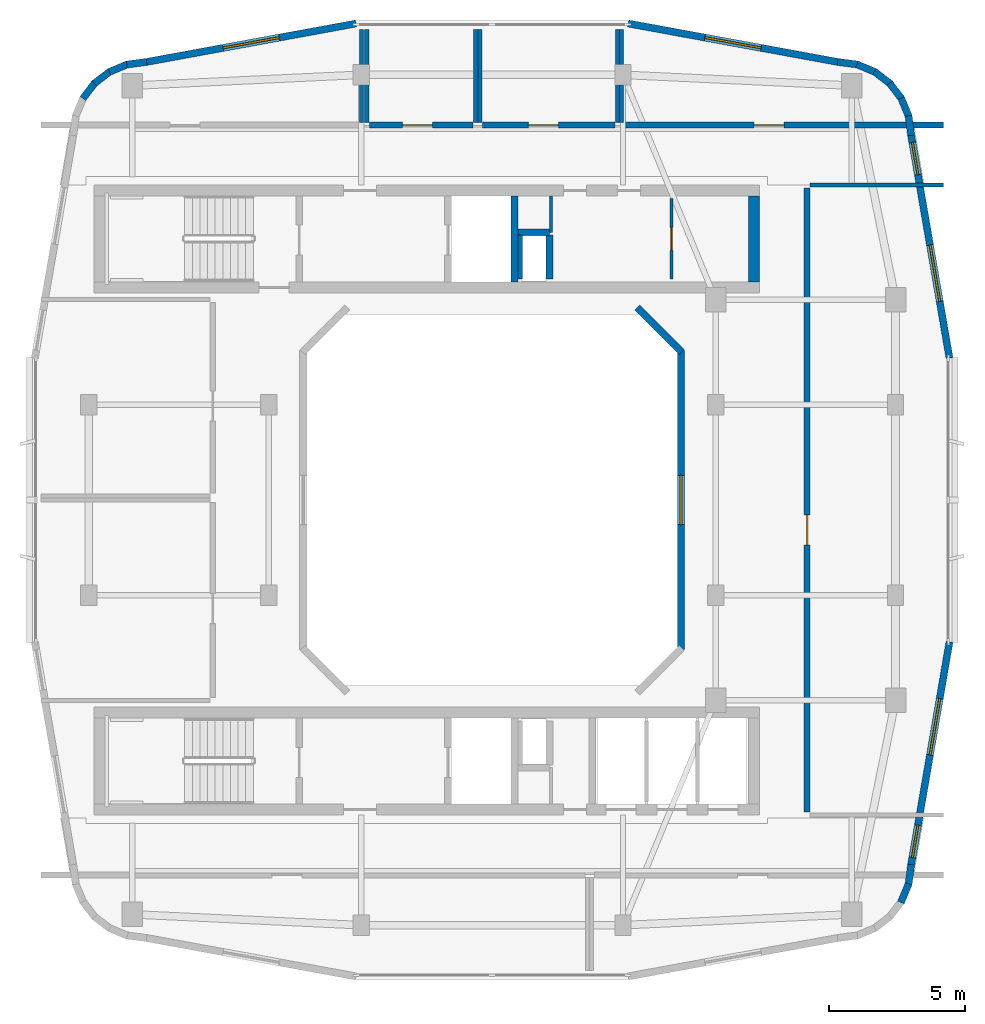
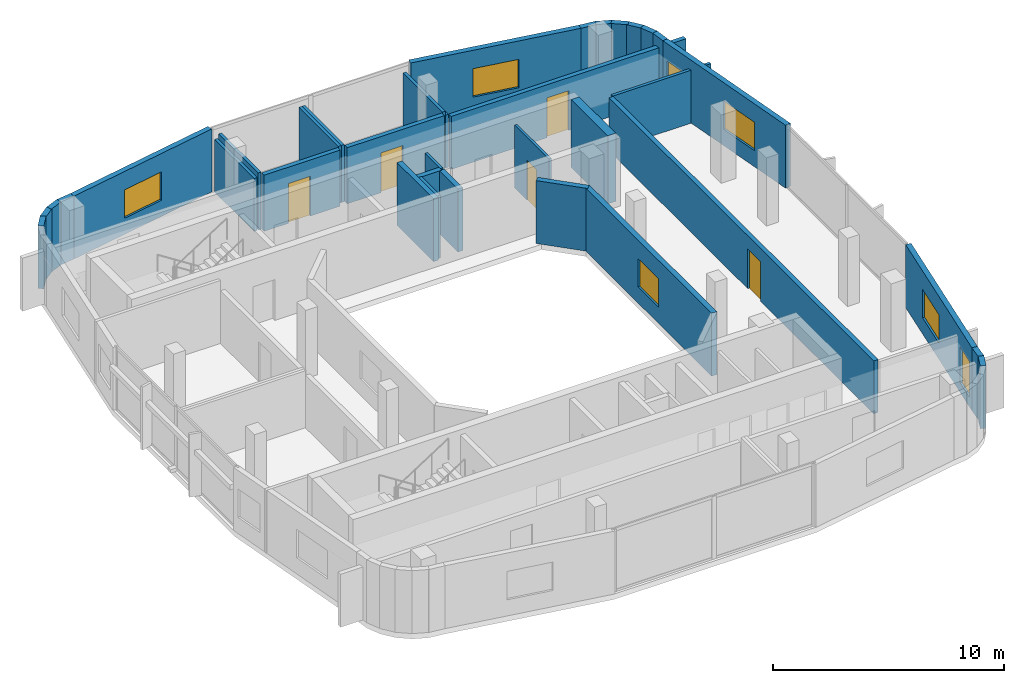
# One storey, part 5 of 10: 36 walls, 7 windows, 5 doors, 12 openings.
"""IFC4 building model written with IfcOpenShell, lengths in metres."""

from ifc_helpers import new_model, si_unit, derived_unit, direction, frame, frame_2d, origin, place, context, subcontext, project, spatial, rectangle, extrude, material, layer, layer_set, type_object, element, fill, save


model = new_model("IFC4")

# Units and contexts
model_context = context("Model", 3, precision=1e-05, world=origin(), true_north=direction((0.0, 1.0)))
body_context = subcontext(model_context, "Body", "Model", "MODEL_VIEW")
ifc_project = project(units=[si_unit("LENGTHUNIT", "METRE"), si_unit("AREAUNIT", "SQUARE_METRE"), si_unit("VOLUMEUNIT", "CUBIC_METRE"), si_unit("PLANEANGLEUNIT", "RADIAN"), si_unit("MASSUNIT", "GRAM", prefix="KILO"), derived_unit("THERMALTRANSMITTANCEUNIT", [(si_unit("POWERUNIT", "WATT"), 1), (si_unit("LENGTHUNIT", "METRE"), -2), (si_unit("THERMODYNAMICTEMPERATUREUNIT", "KELVIN"), -1)])], contexts=[model_context])

# Site, building, storey
site_placement = place(None, origin())
site = spatial("IfcSite", under=ifc_project, at=site_placement, CompositionType="ELEMENT")
building_placement = place(site_placement, origin())
building = spatial("IfcBuilding", under=site, at=building_placement, Name="Kivonza Crest Hotel", CompositionType="ELEMENT")
storey_placement = place(building_placement, frame((0.0, 0.0, 264.800048828125)))
storey = spatial("IfcBuildingStorey", under=building, at=storey_placement, Name="L72", CompositionType="ELEMENT", Elevation=264.800048828125)

# Wall, opening, door
ifc_material_1 = material(Name="Autoclaved aerated concrete blockwork", Category="masonry")
ifc_layer_1 = layer(ifc_material_1, 0.219970703125)
ifc_layer_set_1 = layer_set([ifc_layer_1], Name="Autoclaved aerated concrete blockwork")
wall_type_1 = type_object("IfcWallType", Name="WL-ACOU-220", PredefinedType="SOLIDWALL", material=ifc_layer_set_1)
wall_1_placement = place(storey_placement, frame((32.56005859375, 13.550048828125, 0.0), z_axis=(0.0, 0.0, 1.0), x_axis=(0.0, 1.0, 0.0)))
wall_1 = element("IfcWall", 1, at=wall_1_placement, inside=storey, type_object=wall_type_1, Name="L72 interior partition WA-L72-SKYREST-W", PredefinedType="SOLIDWALL", context=body_context, shape_type="SweptSolid", body=[
    extrude(rectangle(XDim=22.89990234375, YDim=0.219970703125, at=frame_2d((11.449951171875, 0.0))), origin(), (0.0, 0.0, 1.0), 2.794921875),
])
opening_1_placement = place(wall_1_placement, frame((9.800048828125, 0.0, 0.0)))
opening_1 = element("IfcOpeningElement", 2, at=opening_1_placement, cuts=wall_1, Name="Opening DF-60M", PredefinedType="OPENING", context=body_context, shape_type="SweptSolid", body=[
    extrude(rectangle(XDim=1.10009765625, YDim=2.10009765625, at=frame_2d((0.550048828125, 1.050048828125))), frame((0.0, 0.1201171875, 0.0), z_axis=(0.0, -1.0, 0.0), x_axis=(1.0, 0.0, 0.0)), (0.0, 0.0, 1.0), 0.239990234375),
])
ifc_material_2 = material(Name="Hardwood timber oak", Category="wood")
door_type_1 = type_object("IfcDoorType", Name="DR-FD60-1100", OperationType="NOTDEFINED", PredefinedType="DOOR", material=ifc_material_2)
door_1_placement = place(opening_1_placement, frame((1.10009765625, 0.0, 0.0), z_axis=(0.0, 0.0, 1.0), x_axis=(-1.0, 0.0, 0.0)))
door_1 = element("IfcDoor", 3, at=door_1_placement, inside=storey, type_object=door_type_1, Name="L72 Sky Specialty Restaurant door", OperationType="SINGLE_SWING_LEFT", OverallHeight=2.10009765625, OverallWidth=1.10009765625, PredefinedType="DOOR", context=body_context, shape_type="SweptSolid", body=[
    extrude(rectangle(XDim=1.10009765625, YDim=2.10009765625, at=frame_2d((0.550048828125, 1.050048828125))), frame((0.0, 0.02490234375, 0.0), z_axis=(0.0, -1.0, 0.0), x_axis=(1.0, 0.0, 0.0)), (0.0, 0.0, 1.0), 0.050048828125),
])
fill(opening_1, door_1)

wall_2_placement = place(storey_placement, frame((16.5, 38.75, 0.0), z_axis=(0.0, 0.0, 1.0), x_axis=(1.0, 0.0, 0.0)))
wall_2 = element("IfcWall", 4, at=wall_2_placement, inside=storey, type_object=wall_type_1, Name="L72 interior partition WA-L72-CRAWC-S", PredefinedType="SOLIDWALL", context=body_context, shape_type="SweptSolid", body=[
    extrude(rectangle(XDim=3.800048828125, YDim=0.219970703125, at=frame_2d((1.89990234375, 0.0))), origin(), (0.0, 0.0, 1.0), 2.96484375),
])
opening_2_placement = place(wall_2_placement, frame((1.205078125, 0.0, 0.0)))
opening_2 = element("IfcOpeningElement", 5, at=opening_2_placement, cuts=wall_2, Name="Opening DF-60M", PredefinedType="OPENING", context=body_context, shape_type="SweptSolid", body=[
    extrude(rectangle(XDim=1.10009765625, YDim=2.10009765625, at=frame_2d((0.550048828125, 1.050048828125))), frame((0.0, 0.1201171875, 0.0), z_axis=(0.0, -1.0, 0.0), x_axis=(1.0, 0.0, 0.0)), (0.0, 0.0, 1.0), 0.239990234375),
])
door_2_placement = place(opening_2_placement, origin())
door_2 = element("IfcDoor", 6, at=door_2_placement, inside=storey, type_object=door_type_1, Name="L72 L72 Accessible WC door", OperationType="SINGLE_SWING_RIGHT", OverallHeight=2.10009765625, OverallWidth=1.10009765625, PredefinedType="DOOR", context=body_context, shape_type="SweptSolid", body=[
    extrude(rectangle(XDim=1.10009765625, YDim=2.10009765625, at=frame_2d((0.550048828125, 1.050048828125))), frame((0.0, 0.02490234375, 0.0), z_axis=(0.0, -1.0, 0.0), x_axis=(1.0, 0.0, 0.0)), (0.0, 0.0, 1.0), 0.050048828125),
])
fill(opening_2, door_2)

wall_3_placement = place(storey_placement, frame((20.64990234375, 38.75, 0.0), z_axis=(0.0, 0.0, 1.0), x_axis=(1.0, 0.0, 0.0)))
wall_3 = element("IfcWall", 7, at=wall_3_placement, inside=storey, type_object=wall_type_1, Name="L72 interior partition WA-L72-CRHK-S", PredefinedType="SOLIDWALL", context=body_context, shape_type="SweptSolid", body=[
    extrude(rectangle(XDim=4.85009765625, YDim=0.219970703125, at=frame_2d((2.425048828125, 0.0))), origin(), (0.0, 0.0, 1.0), 2.96484375),
])
opening_3_placement = place(wall_3_placement, frame((1.677978515625, 0.0, 0.0)))
opening_3 = element("IfcOpeningElement", 8, at=opening_3_placement, cuts=wall_3, Name="Opening DF-60M", PredefinedType="OPENING", context=body_context, shape_type="SweptSolid", body=[
    extrude(rectangle(XDim=1.10009765625, YDim=2.10009765625, at=frame_2d((0.550048828125, 1.050048828125))), frame((0.0, 0.1201171875, 0.0), z_axis=(0.0, -1.0, 0.0), x_axis=(1.0, 0.0, 0.0)), (0.0, 0.0, 1.0), 0.239990234375),
])
door_3_placement = place(opening_3_placement, origin())
door_3 = element("IfcDoor", 9, at=door_3_placement, inside=storey, type_object=door_type_1, Name="L72 Crown Housekeeping Room door", OperationType="SINGLE_SWING_LEFT", OverallHeight=2.10009765625, OverallWidth=1.10009765625, PredefinedType="DOOR", context=body_context, shape_type="SweptSolid", body=[
    extrude(rectangle(XDim=1.10009765625, YDim=2.10009765625, at=frame_2d((0.550048828125, 1.050048828125))), frame((0.0, 0.02490234375, 0.0), z_axis=(0.0, -1.0, 0.0), x_axis=(1.0, 0.0, 0.0)), (0.0, 0.0, 1.0), 0.050048828125),
])
fill(opening_3, door_3)

wall_4_placement = place(storey_placement, frame((25.85009765625, 38.75, 0.0), z_axis=(0.0, 0.0, 1.0), x_axis=(1.0, 0.0, 0.0)))
wall_4 = element("IfcWall", 10, at=wall_4_placement, inside=storey, type_object=wall_type_1, Name="L72 interior partition WA-L72-CRNDIN-S", PredefinedType="SOLIDWALL", context=body_context, shape_type="SweptSolid", body=[
    extrude(rectangle(XDim=11.7099609375, YDim=0.219970703125, at=frame_2d((5.85498046875, 0.0))), origin(), (0.0, 0.0, 1.0), 2.794921875),
])
opening_4_placement = place(wall_4_placement, frame((4.763916015625, 0.0, 0.0)))
opening_4 = element("IfcOpeningElement", 11, at=opening_4_placement, cuts=wall_4, Name="Opening DF-60M", PredefinedType="OPENING", context=body_context, shape_type="SweptSolid", body=[
    extrude(rectangle(XDim=1.10009765625, YDim=2.10009765625, at=frame_2d((0.550048828125, 1.050048828125))), frame((0.0, 0.1201171875, 0.0), z_axis=(0.0, -1.0, 0.0), x_axis=(1.0, 0.0, 0.0)), (0.0, 0.0, 1.0), 0.239990234375),
])
door_4_placement = place(opening_4_placement, origin())
door_4 = element("IfcDoor", 12, at=door_4_placement, inside=storey, type_object=door_type_1, Name="L72 North Crest Private Dining Suite door", OperationType="SINGLE_SWING_RIGHT", OverallHeight=2.10009765625, OverallWidth=1.10009765625, PredefinedType="DOOR", context=body_context, shape_type="SweptSolid", body=[
    extrude(rectangle(XDim=1.10009765625, YDim=2.10009765625, at=frame_2d((0.550048828125, 1.050048828125))), frame((0.0, 0.02490234375, 0.0), z_axis=(0.0, -1.0, 0.0), x_axis=(1.0, 0.0, 0.0)), (0.0, 0.0, 1.0), 0.050048828125),
])
fill(opening_4, door_4)

# Walls
ifc_material_3 = material(Name="Concrete C50/60", Category="concrete")
ifc_layer_2 = layer(ifc_material_3, 0.39990234375)
ifc_layer_set_2 = layer_set([ifc_layer_2], Name="Concrete C50/60")
wall_type_2 = type_object("IfcWallType", Name="WL-CORE-400", PredefinedType="SHEAR", material=ifc_layer_set_2)
wall_5_placement = place(storey_placement, frame((30.60009765625, 33.0, 0.0), z_axis=(0.0, 0.0, 1.0), x_axis=(0.0, 1.0, 0.0)))
element("IfcWall", 13, at=wall_5_placement, inside=storey, type_object=wall_type_2, Name="Core wall T1-N East L72", PredefinedType="SHEAR", context=body_context, shape_type="SweptSolid", body=[
    extrude(rectangle(XDim=3.159912109375, YDim=0.39990234375, at=frame_2d((1.580078125, 0.0))), origin(), (0.0, 0.0, 1.0), 3.599853515625),
])
ifc_material_4 = material(Name="Precast concrete C40/50", Category="concrete")
ifc_layer_3 = layer(ifc_material_4, 0.260009765625)
ifc_layer_set_3 = layer_set([ifc_layer_3], Name="Precast concrete C40/50")
wall_type_3 = type_object("IfcWallType", Name="WL-EXT-260", PredefinedType="STANDARD", material=ifc_layer_set_3)
wall_6_placement = place(storey_placement, frame((35.9951171875, 10.22705078125, 0.0), z_axis=(0.0, 0.0, 1.0), x_axis=(0.383267045233, 0.923637576129, 0.0)))
element("IfcWall", 14, at=wall_6_placement, inside=storey, type_object=wall_type_3, Name="L72 T1 exterior insulated wall 14", PredefinedType="STANDARD", context=body_context, shape_type="SweptSolid", body=[
    extrude(rectangle(XDim=0.745849609375, YDim=0.260009765625, at=frame_2d((0.373046875, 0.0))), origin(), (0.0, 0.0, 1.0), 3.320068359375),
])
wall_7_placement = place(storey_placement, frame((36.27294921875, 10.866943359375, 0.0), z_axis=(0.0, 0.0, 1.0), x_axis=(0.129653178221, 0.991559404866, 0.0)))
element("IfcWall", 15, at=wall_7_placement, inside=storey, type_object=wall_type_3, Name="L72 T1 exterior insulated wall 15", PredefinedType="STANDARD", context=body_context, shape_type="SweptSolid", body=[
    extrude(rectangle(XDim=0.764404296875, YDim=0.260009765625, at=frame_2d((0.38232421875, 0.0))), origin(), (0.0, 0.0, 1.0), 3.320068359375),
])

# Wall, openings, windows
wall_8_placement = place(storey_placement, frame((36.37109375, 11.614013671875, 0.0), z_axis=(0.0, 0.0, 1.0), x_axis=(0.169818291056, 0.985475391891, 0.0)))
wall_8 = element("IfcWall", 16, at=wall_8_placement, inside=storey, type_object=wall_type_3, Name="L72 T1 exterior insulated wall 16", PredefinedType="STANDARD", context=body_context, shape_type="SweptSolid", body=[
    extrude(rectangle(XDim=8.302490234375, YDim=0.260009765625, at=frame_2d((4.1513671875, 0.0))), origin(), (0.0, 0.0, 1.0), 3.320068359375),
])
opening_5_placement = place(wall_8_placement, frame((0.27392578125, 0.0, 0.5)))
opening_5 = element("IfcOpeningElement", 17, at=opening_5_placement, cuts=wall_8, Name="Opening WN-06", PredefinedType="OPENING", context=body_context, shape_type="SweptSolid", body=[
    extrude(rectangle(XDim=1.199951171875, YDim=1.89990234375, at=frame_2d((0.60009765625, 0.949951171875))), frame((0.0, 0.14013671875, 0.0), z_axis=(0.0, -1.0, 0.0), x_axis=(1.0, 0.0, 0.0)), (0.0, 0.0, 1.0), 0.280029296875),
])
opening_6_placement = place(wall_8_placement, frame((4.090087890625, 0.0, 0.85009765625)))
opening_6 = element("IfcOpeningElement", 18, at=opening_6_placement, cuts=wall_8, Name="Opening WN-04", PredefinedType="OPENING", context=body_context, shape_type="SweptSolid", body=[
    extrude(rectangle(XDim=2.10009765625, YDim=1.5, at=frame_2d((1.050048828125, 0.75))), frame((0.0, 0.14013671875, 0.0), z_axis=(0.0, -1.0, 0.0), x_axis=(1.0, 0.0, 0.0)), (0.0, 0.0, 1.0), 0.280029296875),
])
ifc_material_5 = material(Name="Thermally broken bronze aluminium and low-E double glazing", Category="aluminium")
window_type_1 = type_object("IfcWindowType", Name="WN-120x190", PartitioningType="SINGLE_PANEL", PredefinedType="WINDOW", material=ifc_material_5)
window_1_placement = place(opening_5_placement, origin())
window_1 = element("IfcWindow", 19, at=window_1_placement, inside=storey, type_object=window_type_1, Name="L72 T1 facade window 16 bay 1", OverallHeight=1.89990234375, OverallWidth=1.199951171875, PartitioningType="SINGLE_PANEL", PredefinedType="WINDOW", context=body_context, shape_type="SweptSolid", body=[
    extrude(rectangle(XDim=1.199951171875, YDim=1.89990234375, at=frame_2d((0.60009765625, 0.949951171875))), frame((0.0, 0.030029296875, 0.0), z_axis=(0.0, -1.0, 0.0), x_axis=(1.0, 0.0, 0.0)), (0.0, 0.0, 1.0), 0.06005859375),
])
fill(opening_5, window_1)
window_type_2 = type_object("IfcWindowType", Name="WN-210x150", PartitioningType="DOUBLE_PANEL_VERTICAL", PredefinedType="WINDOW", material=ifc_material_5)
window_2_placement = place(opening_6_placement, origin())
window_2 = element("IfcWindow", 20, at=window_2_placement, inside=storey, type_object=window_type_2, Name="L72 T1 facade window 16 bay 2", OverallHeight=1.5, OverallWidth=2.10009765625, PartitioningType="SINGLE_PANEL", PredefinedType="WINDOW", context=body_context, shape_type="SweptSolid", body=[
    extrude(rectangle(XDim=2.10009765625, YDim=1.5, at=frame_2d((1.050048828125, 0.75))), frame((0.0, 0.030029296875, 0.0), z_axis=(0.0, -1.0, 0.0), x_axis=(1.0, 0.0, 0.0)), (0.0, 0.0, 1.0), 0.06005859375),
])
fill(opening_6, window_2)

wall_9_placement = place(storey_placement, frame((37.781005859375, 30.2041015625, 0.0), z_axis=(0.0, 0.0, 1.0), x_axis=(-0.169818291056, 0.985475391891, 0.0)))
wall_9 = element("IfcWall", 21, at=wall_9_placement, inside=storey, type_object=wall_type_3, Name="L72 T1 exterior insulated wall 18", PredefinedType="STANDARD", context=body_context, shape_type="SweptSolid", body=[
    extrude(rectangle(XDim=8.302490234375, YDim=0.260009765625, at=frame_2d((4.1513671875, 0.0))), origin(), (0.0, 0.0, 1.0), 3.320068359375),
])
opening_7_placement = place(wall_9_placement, frame((2.112060546875, 0.0, 0.85009765625)))
opening_7 = element("IfcOpeningElement", 22, at=opening_7_placement, cuts=wall_9, Name="Opening WN-04", PredefinedType="OPENING", context=body_context, shape_type="SweptSolid", body=[
    extrude(rectangle(XDim=2.10009765625, YDim=1.5, at=frame_2d((1.050048828125, 0.75))), frame((0.0, 0.14013671875, 0.0), z_axis=(0.0, -1.0, 0.0), x_axis=(1.0, 0.0, 0.0)), (0.0, 0.0, 1.0), 0.280029296875),
])
opening_8_placement = place(wall_9_placement, frame((6.8291015625, 0.0, 0.5)))
opening_8 = element("IfcOpeningElement", 23, at=opening_8_placement, cuts=wall_9, Name="Opening WN-06", PredefinedType="OPENING", context=body_context, shape_type="SweptSolid", body=[
    extrude(rectangle(XDim=1.199951171875, YDim=1.89990234375, at=frame_2d((0.60009765625, 0.949951171875))), frame((0.0, 0.14013671875, 0.0), z_axis=(0.0, -1.0, 0.0), x_axis=(1.0, 0.0, 0.0)), (0.0, 0.0, 1.0), 0.280029296875),
])
window_3_placement = place(opening_8_placement, origin())
window_3 = element("IfcWindow", 24, at=window_3_placement, inside=storey, type_object=window_type_1, Name="L72 T1 facade window 18 bay 2", OverallHeight=1.89990234375, OverallWidth=1.199951171875, PartitioningType="SINGLE_PANEL", PredefinedType="WINDOW", context=body_context, shape_type="SweptSolid", body=[
    extrude(rectangle(XDim=1.199951171875, YDim=1.89990234375, at=frame_2d((0.60009765625, 0.949951171875))), frame((0.0, 0.030029296875, 0.0), z_axis=(0.0, -1.0, 0.0), x_axis=(1.0, 0.0, 0.0)), (0.0, 0.0, 1.0), 0.06005859375),
])
fill(opening_8, window_3)
window_4_placement = place(opening_7_placement, origin())
window_4 = element("IfcWindow", 25, at=window_4_placement, inside=storey, type_object=window_type_2, Name="L72 T1 facade window 18 bay 1", OverallHeight=1.5, OverallWidth=2.10009765625, PartitioningType="SINGLE_PANEL", PredefinedType="WINDOW", context=body_context, shape_type="SweptSolid", body=[
    extrude(rectangle(XDim=2.10009765625, YDim=1.5, at=frame_2d((1.050048828125, 0.75))), frame((0.0, 0.030029296875, 0.0), z_axis=(0.0, -1.0, 0.0), x_axis=(1.0, 0.0, 0.0)), (0.0, 0.0, 1.0), 0.06005859375),
])
fill(opening_7, window_4)

# Walls
wall_10_placement = place(storey_placement, frame((36.3720703125, 38.375, 0.0), z_axis=(0.0, 0.0, 1.0), x_axis=(-0.130255288807, 0.991480488834, 0.0)))
element("IfcWall", 26, at=wall_10_placement, inside=storey, type_object=wall_type_3, Name="L72 T1 exterior insulated wall 19", PredefinedType="STANDARD", context=body_context, shape_type="SweptSolid", body=[
    extrude(rectangle(XDim=0.72900390625, YDim=0.260009765625, at=frame_2d((0.364501953125, 0.0))), origin(), (0.0, 0.0, 1.0), 3.320068359375),
])
wall_11_placement = place(storey_placement, frame((36.294921875, 39.052001953125, 0.0), z_axis=(0.0, 0.0, 1.0), x_axis=(-0.383267045233, 0.923637576129, 0.0)))
element("IfcWall", 27, at=wall_11_placement, inside=storey, type_object=wall_type_3, Name="L72 T1 exterior insulated wall 20", PredefinedType="STANDARD", context=body_context, shape_type="SweptSolid", body=[
    extrude(rectangle(XDim=0.745849609375, YDim=0.260009765625, at=frame_2d((0.373046875, 0.0))), origin(), (0.0, 0.0, 1.0), 3.320068359375),
])
for number, where, z_axis, x_axis, name in (
    (28, (36.037109375, 39.700927734375, 0.0), (0.0, 0.0, 1.0), (-0.608603261071, 0.793474681772, 0.0), "L72 T1 exterior insulated wall 21"),
    (29, (35.62109375, 40.261962890625, 0.0), (0.0, 0.0, 1.0), (-0.793474681772, 0.608603261071, 0.0), "L72 T1 exterior insulated wall 22"),
):
    element("IfcWall", number, at=place(storey_placement, frame(where, z_axis=z_axis, x_axis=x_axis)), inside=storey, type_object=wall_type_3, Name=name, PredefinedType="STANDARD", context=body_context, shape_type="SweptSolid", body=[
        extrude(rectangle(XDim=0.74609375, YDim=0.260009765625, at=frame_2d((0.373046875, 0.0))), origin(), (0.0, 0.0, 1.0), 3.320068359375),
    ])
wall_12_placement = place(storey_placement, frame((35.072998046875, 40.695068359375, 0.0), z_axis=(0.0, 0.0, 1.0), x_axis=(-0.923637576129, 0.383267045233, 0.0)))
element("IfcWall", 30, at=wall_12_placement, inside=storey, type_object=wall_type_3, Name="L72 T1 exterior insulated wall 23", PredefinedType="STANDARD", context=body_context, shape_type="SweptSolid", body=[
    extrude(rectangle(XDim=0.745849609375, YDim=0.260009765625, at=frame_2d((0.373046875, 0.0))), origin(), (0.0, 0.0, 1.0), 3.320068359375),
])
wall_13_placement = place(storey_placement, frame((34.43310546875, 40.972900390625, 0.0), z_axis=(0.0, 0.0, 1.0), x_axis=(-0.991559404866, 0.129653178221, 0.0)))
element("IfcWall", 31, at=wall_13_placement, inside=storey, type_object=wall_type_3, Name="L72 T1 exterior insulated wall 24", PredefinedType="STANDARD", context=body_context, shape_type="SweptSolid", body=[
    extrude(rectangle(XDim=0.764404296875, YDim=0.260009765625, at=frame_2d((0.38232421875, 0.0))), origin(), (0.0, 0.0, 1.0), 3.320068359375),
])

# Wall, opening, window
wall_14_placement = place(storey_placement, frame((33.68505859375, 41.071044921875, 0.0), z_axis=(0.0, 0.0, 1.0), x_axis=(-0.983591511167, 0.180409919797, 0.0)))
wall_14 = element("IfcWall", 32, at=wall_14_placement, inside=storey, type_object=wall_type_3, Name="L72 T1 exterior insulated wall 25", PredefinedType="STANDARD", context=body_context, shape_type="SweptSolid", body=[
    extrude(rectangle(XDim=7.820556640625, YDim=0.260009765625, at=frame_2d((3.91015625, 0.0))), origin(), (0.0, 0.0, 1.0), 3.320068359375),
])
opening_9_placement = place(wall_14_placement, frame((2.860107421875, 0.0, 0.85009765625)))
opening_9 = element("IfcOpeningElement", 33, at=opening_9_placement, cuts=wall_14, Name="Opening WN-04", PredefinedType="OPENING", context=body_context, shape_type="SweptSolid", body=[
    extrude(rectangle(XDim=2.10009765625, YDim=1.5, at=frame_2d((1.050048828125, 0.75))), frame((0.0, 0.14013671875, 0.0), z_axis=(0.0, -1.0, 0.0), x_axis=(1.0, 0.0, 0.0)), (0.0, 0.0, 1.0), 0.280029296875),
])
window_5_placement = place(opening_9_placement, origin())
window_5 = element("IfcWindow", 34, at=window_5_placement, inside=storey, type_object=window_type_2, Name="L72 T1 facade window 25", OverallHeight=1.5, OverallWidth=2.10009765625, PartitioningType="SINGLE_PANEL", PredefinedType="WINDOW", context=body_context, shape_type="SweptSolid", body=[
    extrude(rectangle(XDim=2.10009765625, YDim=1.5, at=frame_2d((1.050048828125, 0.75))), frame((0.0, 0.030029296875, 0.0), z_axis=(0.0, -1.0, 0.0), x_axis=(1.0, 0.0, 0.0)), (0.0, 0.0, 1.0), 0.06005859375),
])
fill(opening_9, window_5)

wall_15_placement = place(storey_placement, frame((16.007080078125, 42.48193359375, 0.0), z_axis=(0.0, 0.0, 1.0), x_axis=(-0.983591511167, -0.180409919797, 0.0)))
wall_15 = element("IfcWall", 35, at=wall_15_placement, inside=storey, type_object=wall_type_3, Name="L72 T1 exterior insulated wall 27", PredefinedType="STANDARD", context=body_context, shape_type="SweptSolid", body=[
    extrude(rectangle(XDim=7.820556640625, YDim=0.260009765625, at=frame_2d((3.91015625, 0.0))), origin(), (0.0, 0.0, 1.0), 3.320068359375),
])
opening_10_placement = place(wall_15_placement, frame((2.860107421875, 0.0, 0.85009765625)))
opening_10 = element("IfcOpeningElement", 36, at=opening_10_placement, cuts=wall_15, Name="Opening WN-04", PredefinedType="OPENING", context=body_context, shape_type="SweptSolid", body=[
    extrude(rectangle(XDim=2.10009765625, YDim=1.5, at=frame_2d((1.050048828125, 0.75))), frame((0.0, 0.14013671875, 0.0), z_axis=(0.0, -1.0, 0.0), x_axis=(1.0, 0.0, 0.0)), (0.0, 0.0, 1.0), 0.280029296875),
])
window_6_placement = place(opening_10_placement, origin())
window_6 = element("IfcWindow", 37, at=window_6_placement, inside=storey, type_object=window_type_2, Name="L72 T1 facade window 27", OverallHeight=1.5, OverallWidth=2.10009765625, PartitioningType="SINGLE_PANEL", PredefinedType="WINDOW", context=body_context, shape_type="SweptSolid", body=[
    extrude(rectangle(XDim=2.10009765625, YDim=1.5, at=frame_2d((1.050048828125, 0.75))), frame((0.0, 0.030029296875, 0.0), z_axis=(0.0, -1.0, 0.0), x_axis=(1.0, 0.0, 0.0)), (0.0, 0.0, 1.0), 0.06005859375),
])
fill(opening_10, window_6)

# Walls
wall_16_placement = place(storey_placement, frame((8.324951171875, 41.072021484375, 0.0), z_axis=(0.0, 0.0, 1.0), x_axis=(-0.991480488834, -0.130255288807, 0.0)))
element("IfcWall", 38, at=wall_16_placement, inside=storey, type_object=wall_type_3, Name="L72 T1 exterior insulated wall 28", PredefinedType="STANDARD", context=body_context, shape_type="SweptSolid", body=[
    extrude(rectangle(XDim=0.72900390625, YDim=0.260009765625, at=frame_2d((0.364501953125, 0.0))), origin(), (0.0, 0.0, 1.0), 3.320068359375),
])
for number, where, z_axis, x_axis, name in (
    (39, (7.64794921875, 40.9951171875, 0.0), (0.0, 0.0, 1.0), (-0.923521684703, -0.383546213491, 0.0), "L72 T1 exterior insulated wall 29"),
    (40, (6.9990234375, 40.737060546875, 0.0), (0.0, 0.0, 1.0), (-0.793474681772, -0.608603261071, 0.0), "L72 T1 exterior insulated wall 30"),
    (41, (6.43798828125, 40.321044921875, 0.0), (0.0, 0.0, 1.0), (-0.608603261071, -0.793474681772, 0.0), "L72 T1 exterior insulated wall 31"),
):
    element("IfcWall", number, at=place(storey_placement, frame(where, z_axis=z_axis, x_axis=x_axis)), inside=storey, type_object=wall_type_3, Name=name, PredefinedType="STANDARD", context=body_context, shape_type="SweptSolid", body=[
        extrude(rectangle(XDim=0.74609375, YDim=0.260009765625, at=frame_2d((0.373046875, 0.0))), origin(), (0.0, 0.0, 1.0), 3.320068359375),
    ])

# Wall, opening, window
wall_17_placement = place(storey_placement, frame((27.929931640625, 19.510009765625, 0.0), z_axis=(0.0, 0.0, 1.0), x_axis=(0.0, 1.0, 0.0)))
wall_17 = element("IfcWall", 42, at=wall_17_placement, inside=storey, type_object=wall_type_3, Name="L72 T1 light-well exterior wall 3", PredefinedType="STANDARD", context=body_context, shape_type="SweptSolid", body=[
    extrude(rectangle(XDim=10.97998046875, YDim=0.260009765625, at=frame_2d((5.489990234375, 0.0))), origin(), (0.0, 0.0, 1.0), 3.320068359375),
])
opening_11_placement = place(wall_17_placement, frame((4.590087890625, 0.0, 0.85009765625)))
opening_11 = element("IfcOpeningElement", 43, at=opening_11_placement, cuts=wall_17, Name="Opening WN-03", PredefinedType="OPENING", context=body_context, shape_type="SweptSolid", body=[
    extrude(rectangle(XDim=1.800048828125, YDim=1.5, at=frame_2d((0.89990234375, 0.75))), frame((0.0, 0.14013671875, 0.0), z_axis=(0.0, -1.0, 0.0), x_axis=(1.0, 0.0, 0.0)), (0.0, 0.0, 1.0), 0.280029296875),
])
window_type_3 = type_object("IfcWindowType", Name="WN-180x150", PartitioningType="DOUBLE_PANEL_VERTICAL", PredefinedType="WINDOW", material=ifc_material_5)
window_7_placement = place(opening_11_placement, origin())
window_7 = element("IfcWindow", 44, at=window_7_placement, inside=storey, type_object=window_type_3, Name="L72 T1 light-well window 3", OverallHeight=1.5, OverallWidth=1.800048828125, PartitioningType="SINGLE_PANEL", PredefinedType="WINDOW", context=body_context, shape_type="SweptSolid", body=[
    extrude(rectangle(XDim=1.800048828125, YDim=1.5, at=frame_2d((0.89990234375, 0.75))), frame((0.0, 0.030029296875, 0.0), z_axis=(0.0, -1.0, 0.0), x_axis=(1.0, 0.0, 0.0)), (0.0, 0.0, 1.0), 0.06005859375),
])
fill(opening_11, window_7)

# Walls
wall_18_placement = place(storey_placement, frame((27.9560546875, 30.427978515625, 0.0), z_axis=(0.0, 0.0, 1.0), x_axis=(-0.707106781187, 0.707106781187, 0.0)))
element("IfcWall", 45, at=wall_18_placement, inside=storey, type_object=wall_type_3, Name="L72 T1 light-well exterior wall 4", PredefinedType="STANDARD", context=body_context, shape_type="SweptSolid", body=[
    extrude(rectangle(XDim=2.310791015625, YDim=0.260009765625, at=frame_2d((1.1552734375, 0.0))), origin(), (0.0, 0.0, 1.0), 3.320068359375),
])
ifc_material_6 = material(Name="Concrete blockwork fire-compartment wall", Category="masonry")
ifc_layer_4 = layer(ifc_material_6, 0.25)
ifc_layer_set_4 = layer_set([ifc_layer_4], Name="Concrete blockwork fire-compartment wall")
wall_type_4 = type_object("IfcWallType", Name="WL-FIRE-250", PredefinedType="SOLIDWALL", material=ifc_layer_set_4)
wall_19_placement = place(storey_placement, frame((23.10009765625, 33.10009765625, 0.0), z_axis=(0.0, 0.0, 1.0), x_axis=(0.0, 1.0, 0.0)))
element("IfcWall", 46, at=wall_19_placement, inside=storey, type_object=wall_type_4, Name="L72 interior partition WA-L72-T1-N-MEPR-E", PredefinedType="SOLIDWALL", context=body_context, shape_type="SweptSolid", body=[
    extrude(rectangle(XDim=1.619873046875, YDim=0.25, at=frame_2d((0.81005859375, 0.0))), origin(), (0.0, 0.0, 1.0), 3.320068359375),
])
wall_20_placement = place(storey_placement, frame((21.949951171875, 34.820068359375, 0.0), z_axis=(0.0, 0.0, 1.0), x_axis=(1.0, 0.0, 0.0)))
element("IfcWall", 47, at=wall_20_placement, inside=storey, type_object=wall_type_4, Name="L72 interior partition WA-L72-T1-N-MEPR-H", PredefinedType="SOLIDWALL", context=body_context, shape_type="SweptSolid", body=[
    extrude(rectangle(XDim=1.150146484375, YDim=0.25, at=frame_2d((0.5751953125, 0.0))), origin(), (0.0, 0.0, 1.0), 3.320068359375),
])

# Wall, opening, door
ifc_material_7 = material(Name="Metal-stud gypsum board partition", Category="gypsum")
ifc_layer_5 = layer(ifc_material_7, 0.125)
ifc_layer_set_5 = layer_set([ifc_layer_5], Name="Metal-stud gypsum board partition")
wall_type_5 = type_object("IfcWallType", Name="WL-PART-125", PredefinedType="PARTITIONING", material=ifc_layer_set_5)
wall_21_placement = place(storey_placement, frame((27.580078125, 33.10009765625, 0.0), z_axis=(0.0, 0.0, 1.0), x_axis=(0.0, 1.0, 0.0)))
wall_21 = element("IfcWall", 48, at=wall_21_placement, inside=storey, type_object=wall_type_5, Name="L72 interior partition WP-L72-T1-N-RECL", PredefinedType="PARTITIONING", context=body_context, shape_type="SweptSolid", body=[
    extrude(rectangle(XDim=2.9599609375, YDim=0.125, at=frame_2d((1.47998046875, 0.0))), origin(), (0.0, 0.0, 1.0), 3.320068359375),
])
opening_12_placement = place(wall_21_placement, frame((1.054931640625, 0.0, 0.0)))
opening_12 = element("IfcOpeningElement", 49, at=opening_12_placement, cuts=wall_21, Name="Opening DI-85", PredefinedType="OPENING", context=body_context, shape_type="SweptSolid", body=[
    extrude(rectangle(XDim=0.85009765625, YDim=2.10009765625, at=frame_2d((0.425048828125, 1.050048828125))), frame((0.0, 0.072509765625, 0.0), z_axis=(0.0, -1.0, 0.0), x_axis=(1.0, 0.0, 0.0)), (0.0, 0.0, 1.0), 0.14501953125),
])
door_type_2 = type_object("IfcDoorType", Name="DR-INT-850", OperationType="NOTDEFINED", PredefinedType="DOOR", material=ifc_material_2)
door_5_placement = place(opening_12_placement, origin())
door_5 = element("IfcDoor", 50, at=door_5_placement, inside=storey, type_object=door_type_2, Name="L72 T1-N reclaimed inner pantry door", OperationType="SINGLE_SWING_LEFT", OverallHeight=2.10009765625, OverallWidth=0.85009765625, PredefinedType="DOOR", context=body_context, shape_type="SweptSolid", body=[
    extrude(rectangle(XDim=0.85009765625, YDim=2.10009765625, at=frame_2d((0.425048828125, 1.050048828125))), frame((0.0, 0.02490234375, 0.0), z_axis=(0.0, -1.0, 0.0), x_axis=(1.0, 0.0, 0.0)), (0.0, 0.0, 1.0), 0.050048828125),
])
fill(opening_12, door_5)

# Walls
wall_22_placement = place(storey_placement, frame((23.159912109375, 34.820068359375, 0.0), z_axis=(0.0, 0.0, 1.0), x_axis=(0.0, 1.0, 0.0)))
element("IfcWall", 51, at=wall_22_placement, inside=storey, type_object=wall_type_5, Name="L72 interior partition WP-L72-T1-N-SV1V", PredefinedType="PARTITIONING", context=body_context, shape_type="SweptSolid", body=[
    extrude(rectangle(XDim=1.33984375, YDim=0.125, at=frame_2d((0.669921875, 0.0))), origin(), (0.0, 0.0, 1.0), 3.320068359375),
])
ifc_material_8 = material(Name="Twin-stud acoustic gypsum board partition", Category="gypsum")
ifc_layer_6 = layer(ifc_material_8, 0.14990234375)
ifc_layer_set_6 = layer_set([ifc_layer_6], Name="Twin-stud acoustic gypsum board partition")
wall_type_6 = type_object("IfcWallType", Name="WL-PART-150", PredefinedType="PARTITIONING", material=ifc_layer_set_6)
wall_23_placement = place(storey_placement, frame((22.030029296875, 33.10009765625, 0.0), z_axis=(0.0, 0.0, 1.0), x_axis=(0.0, 1.0, 0.0)))
element("IfcWall", 52, at=wall_23_placement, inside=storey, type_object=wall_type_6, Name="L72 interior partition WA-L72-T1-N-MEPR-W", PredefinedType="PARTITIONING", context=body_context, shape_type="SweptSolid", body=[
    extrude(rectangle(XDim=1.619873046875, YDim=0.14990234375, at=frame_2d((0.81005859375, 0.0))), origin(), (0.0, 0.0, 1.0), 3.320068359375),
])
wall_24_placement = place(storey_placement, frame((32.659912109375, 36.550048828125, 0.0), z_axis=(0.0, 0.0, 1.0), x_axis=(1.0, 0.0, 0.0)))
element("IfcWall", 53, at=wall_24_placement, inside=storey, type_object=wall_type_6, Name="L72 interior partition WP-L72-SKYREST-BN", PredefinedType="PARTITIONING", context=body_context, shape_type="SweptSolid", body=[
    extrude(rectangle(XDim=4.900146484375, YDim=0.14990234375, at=frame_2d((2.4501953125, 0.0))), origin(), (0.0, 0.0, 1.0), 2.794921875),
])
for number, where, z_axis, x_axis, name in (
    (54, (16.39990234375, 38.85009765625, 0.0), (0.0, 0.0, 1.0), (0.0, 1.0, 0.0), "L72 interior partition WP-L72-CRAWC-BW"),
    (55, (20.39990234375, 38.85009765625, 0.0), (0.0, 0.0, 1.0), (0.0, 1.0, 0.0), "L72 interior partition WP-L72-CRAWC-BE"),
    (56, (20.550048828125, 38.85009765625, 0.0), (0.0, 0.0, 1.0), (0.0, 1.0, 0.0), "L72 interior partition WP-L72-CRHK-BW"),
    (57, (25.60009765625, 38.85009765625, 0.0), (0.0, 0.0, 1.0), (0.0, 1.0, 0.0), "L72 interior partition WP-L72-CRHK-BE"),
):
    element("IfcWall", number, at=place(storey_placement, frame(where, z_axis=z_axis, x_axis=x_axis)), inside=storey, type_object=wall_type_6, Name=name, PredefinedType="PARTITIONING", context=body_context, shape_type="SweptSolid", body=[
        extrude(rectangle(XDim=3.409912109375, YDim=0.14990234375, at=frame_2d((1.705078125, 0.0))), origin(), (0.0, 0.0, 1.0), 3.014892578125),
    ])
for number, where, z_axis, x_axis, name in (
    (58, (25.75, 38.85009765625, 0.0), (0.0, 0.0, 1.0), (0.0, 1.0, 0.0), "L72 interior partition WP-L72-CRNDIN-BW"),
    (59, (16.199951171875, 38.85009765625, 0.0), (0.0, 0.0, 1.0), (0.0, 1.0, 0.0), "L72 interior partition WP-L72-CRNWST-BE"),
):
    element("IfcWall", number, at=place(storey_placement, frame(where, z_axis=z_axis, x_axis=x_axis)), inside=storey, type_object=wall_type_6, Name=name, PredefinedType="PARTITIONING", context=body_context, shape_type="SweptSolid", body=[
        extrude(rectangle(XDim=3.409912109375, YDim=0.14990234375, at=frame_2d((1.705078125, 0.0))), origin(), (0.0, 0.0, 1.0), 2.794921875),
    ])
ifc_layer_7 = layer(ifc_material_3, 0.25)
ifc_layer_set_7 = layer_set([ifc_layer_7], Name="Concrete C50/60")
wall_type_7 = type_object("IfcWallType", Name="WL-SHAFT-250", PredefinedType="STANDARD", material=ifc_layer_set_7)
wall_25_placement = place(storey_placement, frame((21.824951171875, 33.0, 0.0), z_axis=(0.0, 0.0, 1.0), x_axis=(0.0, 1.0, 0.0)))
element("IfcWall", 60, at=wall_25_placement, inside=storey, type_object=wall_type_7, Name="Core shaft wall T1-N FFL-E L72", PredefinedType="STANDARD", context=body_context, shape_type="SweptSolid", body=[
    extrude(rectangle(XDim=3.159912109375, YDim=0.25, at=frame_2d((1.580078125, 0.0))), origin(), (0.0, 0.0, 1.0), 3.320068359375),
])

save(model, "model.ifc")
